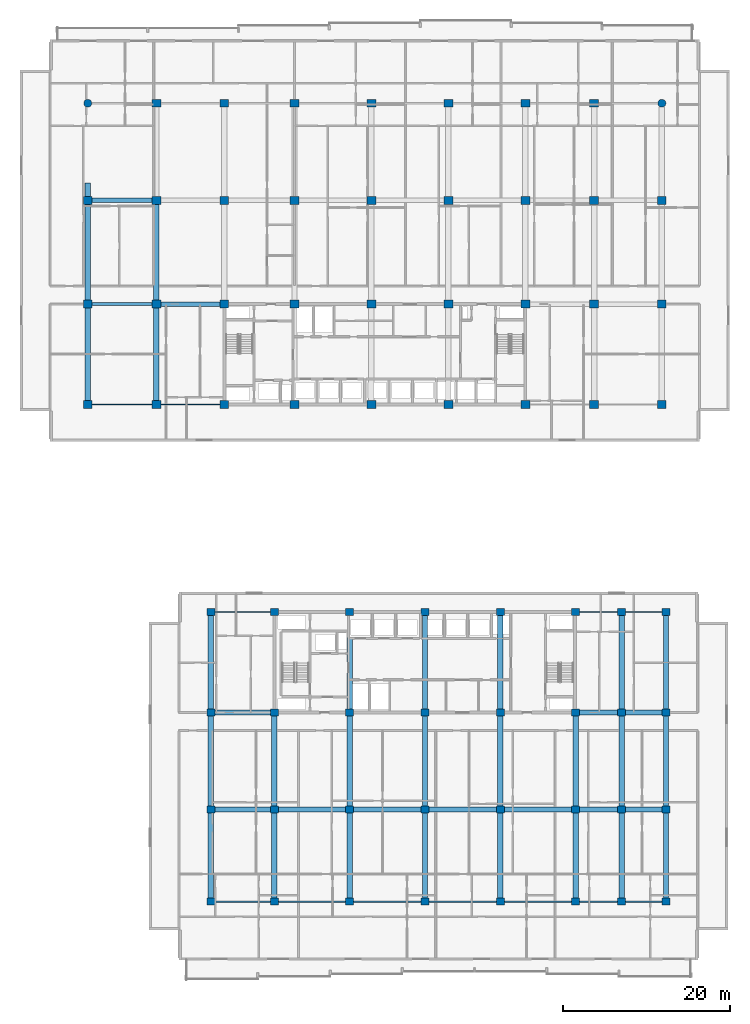
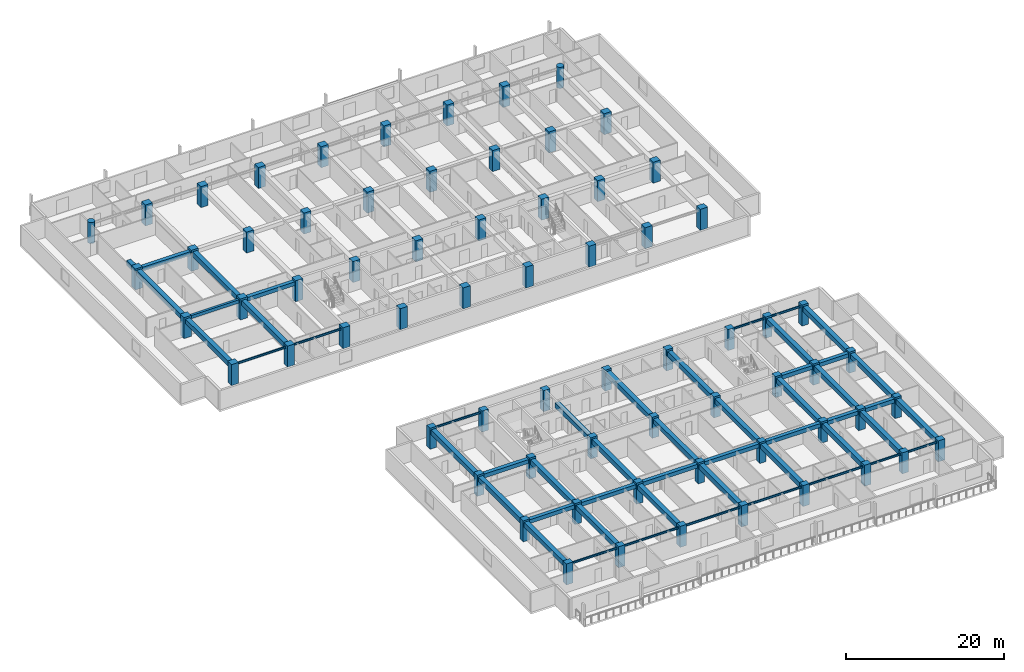
# One storey, part 1 of 23: 68 columns, 52 beams.
"""IFC4 building model written with IfcOpenShell, lengths in metres."""

from ifc_helpers import new_model, si_unit, direction, frame, origin, origin_2d, place, context, subcontext, project, spatial, rectangle, circle, i_section, extrude, material, material_profile, profile_set, type_object, element, save


model = new_model("IFC4")

# Units and contexts
model_context = context("Model", 3, precision=1e-05, world=origin(), true_north=direction((0.0, 1.0)))
body_context = subcontext(model_context, "Body", "Model", "MODEL_VIEW")
ifc_project = project(units=[si_unit("LENGTHUNIT", "METRE"), si_unit("AREAUNIT", "SQUARE_METRE"), si_unit("VOLUMEUNIT", "CUBIC_METRE"), si_unit("PLANEANGLEUNIT", "RADIAN"), si_unit("MASSUNIT", "GRAM", prefix="KILO")], contexts=[model_context])

# Site, building, storey
site_placement = place(None, origin())
site = spatial("IfcSite", under=ifc_project, at=site_placement, CompositionType="ELEMENT")
building_placement = place(site_placement, origin())
building = spatial("IfcBuilding", under=site, at=building_placement, Name="Korimba Cascade Residences", CompositionType="ELEMENT")
storey_placement = place(building_placement, frame((0.0, 0.0, 33.75)))
storey = spatial("IfcBuildingStorey", under=building, at=storey_placement, Name="L08", CompositionType="ELEMENT", Elevation=33.75)

# Columns
ifc_material_1 = material(Name="Concrete C80/95", Category="concrete")
ifc_material_profile_1 = material_profile(ifc_material_1, rectangle(XDim=1.050048828125, YDim=0.949951171875, at=origin_2d()), Name="Concrete C80/95")
ifc_profile_set_1 = profile_set([ifc_material_profile_1], Name="Concrete C80/95")
column_type_1 = type_object("IfcColumnType", Name="COL-RC-1050", PredefinedType="COLUMN", material=ifc_profile_set_1)
for number, where, z_axis, x_axis, name in (
    (1, (59.800048828125, 55.199951171875, 0.0), (0.0, 0.0, 1.0), (1.0, 0.0, 0.0), "L08 Tower 1 Column 1.1"),
    (2, (59.800048828125, 67.199951171875, 0.0), (0.0, 0.0, 1.0), (1.0, 0.0, 0.0), "L08 Tower 1 Column 1.2"),
    (3, (59.800048828125, 79.60009765625, 0.0), (0.0, 0.0, 1.0), (1.0, 0.0, 0.0), "L08 Tower 1 Column 1.3"),
    (4, (68.0, 55.199951171875, 0.0), (0.0, 0.0, 1.0), (1.0, 0.0, 0.0), "L08 Tower 1 Column 2.1"),
    (5, (68.0, 67.199951171875, 0.0), (0.0, 0.0, 1.0), (1.0, 0.0, 0.0), "L08 Tower 1 Column 2.2"),
    (6, (68.0, 79.60009765625, 0.0), (0.0, 0.0, 1.0), (1.0, 0.0, 0.0), "L08 Tower 1 Column 2.3"),
    (7, (68.0, 91.199951171875, 0.0), (0.0, 0.0, 1.0), (1.0, 0.0, 0.0), "L08 Tower 1 Column 2.4"),
    (8, (76.10009765625, 55.199951171875, 0.0), (0.0, 0.0, 1.0), (1.0, 0.0, 0.0), "L08 Tower 1 Column 3.1"),
    (9, (76.10009765625, 67.199951171875, 0.0), (0.0, 0.0, 1.0), (1.0, 0.0, 0.0), "L08 Tower 1 Column 3.2"),
    (10, (76.10009765625, 79.60009765625, 0.0), (0.0, 0.0, 1.0), (1.0, 0.0, 0.0), "L08 Tower 1 Column 3.3"),
    (11, (76.10009765625, 91.199951171875, 0.0), (0.0, 0.0, 1.0), (1.0, 0.0, 0.0), "L08 Tower 1 Column 3.4"),
    (12, (84.5, 55.199951171875, 0.0), (0.0, 0.0, 1.0), (1.0, 0.0, 0.0), "L08 Tower 1 Column 4.1"),
    (13, (84.5, 67.199951171875, 0.0), (0.0, 0.0, 1.0), (1.0, 0.0, 0.0), "L08 Tower 1 Column 4.2"),
    (14, (84.5, 79.60009765625, 0.0), (0.0, 0.0, 1.0), (1.0, 0.0, 0.0), "L08 Tower 1 Column 4.3"),
    (15, (84.5, 91.199951171875, 0.0), (0.0, 0.0, 1.0), (1.0, 0.0, 0.0), "L08 Tower 1 Column 4.4"),
    (16, (93.699951171875, 55.199951171875, 0.0), (0.0, 0.0, 1.0), (1.0, 0.0, 0.0), "L08 Tower 1 Column 5.1"),
    (17, (93.699951171875, 67.199951171875, 0.0), (0.0, 0.0, 1.0), (1.0, 0.0, 0.0), "L08 Tower 1 Column 5.2"),
    (18, (93.699951171875, 79.60009765625, 0.0), (0.0, 0.0, 1.0), (1.0, 0.0, 0.0), "L08 Tower 1 Column 5.3"),
    (19, (93.699951171875, 91.199951171875, 0.0), (0.0, 0.0, 1.0), (1.0, 0.0, 0.0), "L08 Tower 1 Column 5.4"),
    (20, (102.89990234375, 55.199951171875, 0.0), (0.0, 0.0, 1.0), (1.0, 0.0, 0.0), "L08 Tower 1 Column 6.1"),
    (21, (102.89990234375, 67.199951171875, 0.0), (0.0, 0.0, 1.0), (1.0, 0.0, 0.0), "L08 Tower 1 Column 6.2"),
    (22, (102.89990234375, 79.60009765625, 0.0), (0.0, 0.0, 1.0), (1.0, 0.0, 0.0), "L08 Tower 1 Column 6.3"),
    (23, (102.89990234375, 91.199951171875, 0.0), (0.0, 0.0, 1.0), (1.0, 0.0, 0.0), "L08 Tower 1 Column 6.4"),
    (24, (112.10009765625, 55.199951171875, 0.0), (0.0, 0.0, 1.0), (1.0, 0.0, 0.0), "L08 Tower 1 Column 7.1"),
    (25, (112.10009765625, 67.199951171875, 0.0), (0.0, 0.0, 1.0), (1.0, 0.0, 0.0), "L08 Tower 1 Column 7.2"),
    (26, (112.10009765625, 79.60009765625, 0.0), (0.0, 0.0, 1.0), (1.0, 0.0, 0.0), "L08 Tower 1 Column 7.3"),
    (27, (112.10009765625, 91.199951171875, 0.0), (0.0, 0.0, 1.0), (1.0, 0.0, 0.0), "L08 Tower 1 Column 7.4"),
    (28, (120.300048828125, 55.199951171875, 0.0), (0.0, 0.0, 1.0), (1.0, 0.0, 0.0), "L08 Tower 1 Column 8.1"),
    (29, (120.300048828125, 67.199951171875, 0.0), (0.0, 0.0, 1.0), (1.0, 0.0, 0.0), "L08 Tower 1 Column 8.2"),
    (30, (120.300048828125, 79.60009765625, 0.0), (0.0, 0.0, 1.0), (1.0, 0.0, 0.0), "L08 Tower 1 Column 8.3"),
    (31, (120.300048828125, 91.199951171875, 0.0), (0.0, 0.0, 1.0), (1.0, 0.0, 0.0), "L08 Tower 1 Column 8.4"),
    (32, (128.39990234375, 55.199951171875, 0.0), (0.0, 0.0, 1.0), (1.0, 0.0, 0.0), "L08 Tower 1 Column 9.1"),
    (33, (128.39990234375, 67.199951171875, 0.0), (0.0, 0.0, 1.0), (1.0, 0.0, 0.0), "L08 Tower 1 Column 9.2"),
    (34, (128.39990234375, 79.60009765625, 0.0), (0.0, 0.0, 1.0), (1.0, 0.0, 0.0), "L08 Tower 1 Column 9.3"),
):
    element("IfcColumn", number, at=place(storey_placement, frame(where, z_axis=z_axis, x_axis=x_axis)), inside=storey, type_object=column_type_1, Name=name, PredefinedType="COLUMN", context=body_context, shape_type="SweptSolid", body=[
        extrude(rectangle(XDim=1.050048828125, YDim=0.949951171875, at=origin_2d()), origin(), (0.0, 0.0, 1.0), 3.25),
    ])
ifc_material_2 = material(Name="Concrete C65/80", Category="concrete")
ifc_material_profile_2 = material_profile(ifc_material_2, rectangle(XDim=0.949951171875, YDim=0.85009765625, at=origin_2d()), Name="Concrete C65/80")
ifc_profile_set_2 = profile_set([ifc_material_profile_2], Name="Concrete C65/80")
column_type_2 = type_object("IfcColumnType", Name="COL-RC-950", PredefinedType="COLUMN", material=ifc_profile_set_2)
for number, where, z_axis, x_axis, name in (
    (35, (74.5, -4.199951171875, 0.0), (0.0, 0.0, 1.0), (1.0, 0.0, 0.0), "L08 Tower 2 Column 1.1"),
    (36, (74.5, 6.800048828125, 0.0), (0.0, 0.0, 1.0), (1.0, 0.0, 0.0), "L08 Tower 2 Column 1.2"),
    (37, (74.5, 18.39990234375, 0.0), (0.0, 0.0, 1.0), (1.0, 0.0, 0.0), "L08 Tower 2 Column 1.3"),
    (38, (74.5, 30.39990234375, 0.0), (0.0, 0.0, 1.0), (1.0, 0.0, 0.0), "L08 Tower 2 Column 1.4"),
    (39, (82.10009765625, -4.199951171875, 0.0), (0.0, 0.0, 1.0), (1.0, 0.0, 0.0), "L08 Tower 2 Column 2.1"),
    (40, (82.10009765625, 6.800048828125, 0.0), (0.0, 0.0, 1.0), (1.0, 0.0, 0.0), "L08 Tower 2 Column 2.2"),
    (41, (82.10009765625, 18.39990234375, 0.0), (0.0, 0.0, 1.0), (1.0, 0.0, 0.0), "L08 Tower 2 Column 2.3"),
    (42, (82.10009765625, 30.39990234375, 0.0), (0.0, 0.0, 1.0), (1.0, 0.0, 0.0), "L08 Tower 2 Column 2.4"),
    (43, (91.10009765625, -4.199951171875, 0.0), (0.0, 0.0, 1.0), (1.0, 0.0, 0.0), "L08 Tower 2 Column 3.1"),
    (44, (91.10009765625, 6.800048828125, 0.0), (0.0, 0.0, 1.0), (1.0, 0.0, 0.0), "L08 Tower 2 Column 3.2"),
    (45, (91.10009765625, 18.39990234375, 0.0), (0.0, 0.0, 1.0), (1.0, 0.0, 0.0), "L08 Tower 2 Column 3.3"),
    (46, (91.10009765625, 30.39990234375, 0.0), (0.0, 0.0, 1.0), (1.0, 0.0, 0.0), "L08 Tower 2 Column 3.4"),
    (47, (100.10009765625, -4.199951171875, 0.0), (0.0, 0.0, 1.0), (1.0, 0.0, 0.0), "L08 Tower 2 Column 4.1"),
    (48, (100.10009765625, 6.800048828125, 0.0), (0.0, 0.0, 1.0), (1.0, 0.0, 0.0), "L08 Tower 2 Column 4.2"),
    (49, (100.10009765625, 18.39990234375, 0.0), (0.0, 0.0, 1.0), (1.0, 0.0, 0.0), "L08 Tower 2 Column 4.3"),
    (50, (100.10009765625, 30.39990234375, 0.0), (0.0, 0.0, 1.0), (1.0, 0.0, 0.0), "L08 Tower 2 Column 4.4"),
    (51, (109.10009765625, -4.199951171875, 0.0), (0.0, 0.0, 1.0), (1.0, 0.0, 0.0), "L08 Tower 2 Column 5.1"),
    (52, (109.10009765625, 6.800048828125, 0.0), (0.0, 0.0, 1.0), (1.0, 0.0, 0.0), "L08 Tower 2 Column 5.2"),
    (53, (109.10009765625, 18.39990234375, 0.0), (0.0, 0.0, 1.0), (1.0, 0.0, 0.0), "L08 Tower 2 Column 5.3"),
    (54, (109.10009765625, 30.39990234375, 0.0), (0.0, 0.0, 1.0), (1.0, 0.0, 0.0), "L08 Tower 2 Column 5.4"),
    (55, (118.10009765625, -4.199951171875, 0.0), (0.0, 0.0, 1.0), (1.0, 0.0, 0.0), "L08 Tower 2 Column 6.1"),
    (56, (118.10009765625, 6.800048828125, 0.0), (0.0, 0.0, 1.0), (1.0, 0.0, 0.0), "L08 Tower 2 Column 6.2"),
    (57, (118.10009765625, 18.39990234375, 0.0), (0.0, 0.0, 1.0), (1.0, 0.0, 0.0), "L08 Tower 2 Column 6.3"),
    (58, (118.10009765625, 30.39990234375, 0.0), (0.0, 0.0, 1.0), (1.0, 0.0, 0.0), "L08 Tower 2 Column 6.4"),
    (59, (123.60009765625, -4.199951171875, 0.0), (0.0, 0.0, 1.0), (1.0, 0.0, 0.0), "L08 Tower 2 Column 7.1"),
    (60, (123.60009765625, 6.800048828125, 0.0), (0.0, 0.0, 1.0), (1.0, 0.0, 0.0), "L08 Tower 2 Column 7.2"),
    (61, (123.60009765625, 18.39990234375, 0.0), (0.0, 0.0, 1.0), (1.0, 0.0, 0.0), "L08 Tower 2 Column 7.3"),
    (62, (123.60009765625, 30.39990234375, 0.0), (0.0, 0.0, 1.0), (1.0, 0.0, 0.0), "L08 Tower 2 Column 7.4"),
    (63, (128.89990234375, -4.199951171875, 0.0), (0.0, 0.0, 1.0), (1.0, 0.0, 0.0), "L08 Tower 2 Column 8.1"),
    (64, (128.89990234375, 6.800048828125, 0.0), (0.0, 0.0, 1.0), (1.0, 0.0, 0.0), "L08 Tower 2 Column 8.2"),
    (65, (128.89990234375, 18.39990234375, 0.0), (0.0, 0.0, 1.0), (1.0, 0.0, 0.0), "L08 Tower 2 Column 8.3"),
    (66, (128.89990234375, 30.39990234375, 0.0), (0.0, 0.0, 1.0), (1.0, 0.0, 0.0), "L08 Tower 2 Column 8.4"),
):
    element("IfcColumn", number, at=place(storey_placement, frame(where, z_axis=z_axis, x_axis=x_axis)), inside=storey, type_object=column_type_2, Name=name, PredefinedType="COLUMN", context=body_context, shape_type="SweptSolid", body=[
        extrude(rectangle(XDim=0.949951171875, YDim=0.85009765625, at=origin_2d()), origin(), (0.0, 0.0, 1.0), 3.25),
    ])
ifc_material_profile_3 = material_profile(ifc_material_1, circle(Radius=0.47509765625, at=origin_2d()), Name="Concrete C80/95")
ifc_profile_set_3 = profile_set([ifc_material_profile_3], Name="Concrete C80/95")
column_type_3 = type_object("IfcColumnType", Name="COL-RC-D950", PredefinedType="COLUMN", material=ifc_profile_set_3)
for number, where, z_axis, x_axis, name in (
    (67, (59.800048828125, 91.199951171875, 0.0), (0.0, 0.0, 1.0), (1.0, 0.0, 0.0), "L08 Tower 1 Column 1.4"),
    (68, (128.39990234375, 91.199951171875, 0.0), (0.0, 0.0, 1.0), (1.0, 0.0, 0.0), "L08 Tower 1 Column 9.4"),
):
    element("IfcColumn", number, at=place(storey_placement, frame(where, z_axis=z_axis, x_axis=x_axis)), inside=storey, type_object=column_type_3, Name=name, PredefinedType="COLUMN", context=body_context, shape_type="SweptSolid", body=[
        extrude(circle(Radius=0.47509765625, at=origin_2d()), origin(), (0.0, 0.0, 1.0), 3.25),
    ])

# Beams
ifc_material_3 = material(Name="Concrete C50/60", Category="concrete")
ifc_material_profile_4 = material_profile(ifc_material_3, rectangle(XDim=0.550048828125, YDim=0.60009765625, at=origin_2d()), Name="Concrete C50/60")
ifc_profile_set_4 = profile_set([ifc_material_profile_4], Name="Concrete C50/60")
beam_type_1 = type_object("IfcBeamType", Name="BM-RC-B600", PredefinedType="BEAM", material=ifc_profile_set_4)
beam_1_placement = place(storey_placement, frame((68.52490234375, 67.199951171875, 2.669921875), z_axis=(1.0, 0.0, 0.0), x_axis=(0.0, 1.0, 0.0)))
element("IfcBeam", 69, at=beam_1_placement, inside=storey, type_object=beam_type_1, Name="L08 T1 E-W Girder Y2 Bay 2", PredefinedType="BEAM", context=body_context, shape_type="SweptSolid", body=[
    extrude(rectangle(XDim=0.550048828125, YDim=0.60009765625, at=origin_2d()), origin(), (0.0, 0.0, 1.0), 7.050048828125),
])
beam_2_placement = place(storey_placement, frame((60.324951171875, 79.60009765625, 2.669921875), z_axis=(1.0, 0.0, 0.0), x_axis=(0.0, 1.0, 0.0)))
element("IfcBeam", 70, at=beam_2_placement, inside=storey, type_object=beam_type_1, Name="L08 T1 E-W Girder Y3 Bay 1", PredefinedType="BEAM", context=body_context, shape_type="SweptSolid", body=[
    extrude(rectangle(XDim=0.550048828125, YDim=0.60009765625, at=origin_2d()), origin(), (0.0, 0.0, 1.0), 7.150146484375),
])
beam_3_placement = place(storey_placement, frame((74.97509765625, 6.800048828125, 2.669921875), z_axis=(1.0, 0.0, 0.0), x_axis=(0.0, 1.0, 0.0)))
element("IfcBeam", 71, at=beam_3_placement, inside=storey, type_object=beam_type_1, Name="L08 T2 E-W Girder Y2 Bay 1", PredefinedType="BEAM", context=body_context, shape_type="SweptSolid", body=[
    extrude(rectangle(XDim=0.550048828125, YDim=0.60009765625, at=origin_2d()), origin(), (0.0, 0.0, 1.0), 6.64990234375),
])
for number, where, z_axis, x_axis, name in (
    (72, (82.574951171875, 6.800048828125, 2.669921875), (1.0, 0.0, 0.0), (0.0, 1.0, 0.0), "L08 T2 E-W Girder Y2 Bay 2"),
    (73, (91.574951171875, 6.800048828125, 2.669921875), (1.0, 0.0, 0.0), (0.0, 1.0, 0.0), "L08 T2 E-W Girder Y2 Bay 3"),
    (74, (100.574951171875, 6.800048828125, 2.669921875), (1.0, 0.0, 0.0), (0.0, 1.0, 0.0), "L08 T2 E-W Girder Y2 Bay 4"),
    (75, (109.574951171875, 6.800048828125, 2.669921875), (1.0, 0.0, 0.0), (0.0, 1.0, 0.0), "L08 T2 E-W Girder Y2 Bay 5"),
):
    element("IfcBeam", number, at=place(storey_placement, frame(where, z_axis=z_axis, x_axis=x_axis)), inside=storey, type_object=beam_type_1, Name=name, PredefinedType="BEAM", context=body_context, shape_type="SweptSolid", body=[
        extrude(rectangle(XDim=0.550048828125, YDim=0.60009765625, at=origin_2d()), origin(), (0.0, 0.0, 1.0), 8.050048828125),
    ])
beam_4_placement = place(storey_placement, frame((118.574951171875, 6.800048828125, 2.669921875), z_axis=(1.0, 0.0, 0.0), x_axis=(0.0, 1.0, 0.0)))
element("IfcBeam", 76, at=beam_4_placement, inside=storey, type_object=beam_type_1, Name="L08 T2 E-W Girder Y2 Bay 6", PredefinedType="BEAM", context=body_context, shape_type="SweptSolid", body=[
    extrude(rectangle(XDim=0.550048828125, YDim=0.60009765625, at=origin_2d()), origin(), (0.0, 0.0, 1.0), 4.550048828125),
])
beam_5_placement = place(storey_placement, frame((124.074951171875, 6.800048828125, 2.669921875), z_axis=(1.0, 0.0, 0.0), x_axis=(0.0, 1.0, 0.0)))
element("IfcBeam", 77, at=beam_5_placement, inside=storey, type_object=beam_type_1, Name="L08 T2 E-W Girder Y2 Bay 7", PredefinedType="BEAM", context=body_context, shape_type="SweptSolid", body=[
    extrude(rectangle(XDim=0.550048828125, YDim=0.60009765625, at=origin_2d()), origin(), (0.0, 0.0, 1.0), 4.35009765625),
])
beam_6_placement = place(storey_placement, frame((74.97509765625, 18.39990234375, 2.669921875), z_axis=(1.0, 0.0, 0.0), x_axis=(0.0, 1.0, 0.0)))
element("IfcBeam", 78, at=beam_6_placement, inside=storey, type_object=beam_type_1, Name="L08 T2 E-W Girder Y3 Bay 1", PredefinedType="BEAM", context=body_context, shape_type="SweptSolid", body=[
    extrude(rectangle(XDim=0.550048828125, YDim=0.60009765625, at=origin_2d()), origin(), (0.0, 0.0, 1.0), 6.64990234375),
])
beam_7_placement = place(storey_placement, frame((118.574951171875, 18.39990234375, 2.669921875), z_axis=(1.0, 0.0, 0.0), x_axis=(0.0, 1.0, 0.0)))
element("IfcBeam", 79, at=beam_7_placement, inside=storey, type_object=beam_type_1, Name="L08 T2 E-W Girder Y3 Bay 6", PredefinedType="BEAM", context=body_context, shape_type="SweptSolid", body=[
    extrude(rectangle(XDim=0.550048828125, YDim=0.60009765625, at=origin_2d()), origin(), (0.0, 0.0, 1.0), 4.550048828125),
])
beam_8_placement = place(storey_placement, frame((124.074951171875, 18.39990234375, 2.669921875), z_axis=(1.0, 0.0, 0.0), x_axis=(0.0, 1.0, 0.0)))
element("IfcBeam", 80, at=beam_8_placement, inside=storey, type_object=beam_type_1, Name="L08 T2 E-W Girder Y3 Bay 7", PredefinedType="BEAM", context=body_context, shape_type="SweptSolid", body=[
    extrude(rectangle(XDim=0.550048828125, YDim=0.60009765625, at=origin_2d()), origin(), (0.0, 0.0, 1.0), 4.35009765625),
])
ifc_material_profile_5 = material_profile(ifc_material_3, rectangle(XDim=0.64990234375, YDim=0.75, at=origin_2d()), Name="Concrete C50/60")
ifc_profile_set_5 = profile_set([ifc_material_profile_5], Name="Concrete C50/60")
beam_type_2 = type_object("IfcBeamType", Name="BM-RC-G750", PredefinedType="BEAM", material=ifc_profile_set_5)
beam_9_placement = place(storey_placement, frame((59.800048828125, 55.675048828125, 2.594970703125), z_axis=(0.0, 1.0, 0.0), x_axis=(-1.0, 0.0, 0.0)))
element("IfcBeam", 81, at=beam_9_placement, inside=storey, type_object=beam_type_2, Name="L08 T1 N-S Girder X1 Seg 1", PredefinedType="BEAM", context=body_context, shape_type="SweptSolid", body=[
    extrude(rectangle(XDim=0.64990234375, YDim=0.75, at=origin_2d()), origin(), (0.0, 0.0, 1.0), 11.050048828125),
])
beam_10_placement = place(storey_placement, frame((59.800048828125, 67.675048828125, 2.594970703125), z_axis=(0.0, 1.0, 0.0), x_axis=(-1.0, 0.0, 0.0)))
element("IfcBeam", 82, at=beam_10_placement, inside=storey, type_object=beam_type_2, Name="L08 T1 N-S Girder X1 Seg 2", PredefinedType="BEAM", context=body_context, shape_type="SweptSolid", body=[
    extrude(rectangle(XDim=0.64990234375, YDim=0.75, at=origin_2d()), origin(), (0.0, 0.0, 1.0), 11.449951171875),
])
beam_11_placement = place(storey_placement, frame((59.800048828125, 80.074951171875, 2.594970703125), z_axis=(0.0, 1.0, 0.0), x_axis=(-1.0, 0.0, 0.0)))
element("IfcBeam", 83, at=beam_11_placement, inside=storey, type_object=beam_type_2, Name="L08 T1 N-S Girder X1 Seg 3", PredefinedType="BEAM", context=body_context, shape_type="SweptSolid", body=[
    extrude(rectangle(XDim=0.64990234375, YDim=0.75, at=origin_2d()), origin(), (0.0, 0.0, 1.0), 1.625),
])
beam_12_placement = place(storey_placement, frame((68.0, 55.675048828125, 2.594970703125), z_axis=(0.0, 1.0, 0.0), x_axis=(-1.0, 0.0, 0.0)))
element("IfcBeam", 84, at=beam_12_placement, inside=storey, type_object=beam_type_2, Name="L08 T1 N-S Girder X2 Seg 1", PredefinedType="BEAM", context=body_context, shape_type="SweptSolid", body=[
    extrude(rectangle(XDim=0.64990234375, YDim=0.75, at=origin_2d()), origin(), (0.0, 0.0, 1.0), 11.050048828125),
])
beam_13_placement = place(storey_placement, frame((68.0, 67.675048828125, 2.594970703125), z_axis=(0.0, 1.0, 0.0), x_axis=(-1.0, 0.0, 0.0)))
element("IfcBeam", 85, at=beam_13_placement, inside=storey, type_object=beam_type_2, Name="L08 T1 N-S Girder X2 Seg 2", PredefinedType="BEAM", context=body_context, shape_type="SweptSolid", body=[
    extrude(rectangle(XDim=0.64990234375, YDim=0.75, at=origin_2d()), origin(), (0.0, 0.0, 1.0), 11.449951171875),
])
beam_14_placement = place(storey_placement, frame((74.5, -3.77490234375, 2.594970703125), z_axis=(0.0, 1.0, 0.0), x_axis=(-1.0, 0.0, 0.0)))
element("IfcBeam", 86, at=beam_14_placement, inside=storey, type_object=beam_type_2, Name="L08 T2 N-S Girder X1 Seg 1", PredefinedType="BEAM", context=body_context, shape_type="SweptSolid", body=[
    extrude(rectangle(XDim=0.64990234375, YDim=0.75, at=origin_2d()), origin(), (0.0, 0.0, 1.0), 10.14990234375),
])
beam_15_placement = place(storey_placement, frame((74.5, 7.22509765625, 2.594970703125), z_axis=(0.0, 1.0, 0.0), x_axis=(-1.0, 0.0, 0.0)))
element("IfcBeam", 87, at=beam_15_placement, inside=storey, type_object=beam_type_2, Name="L08 T2 N-S Girder X1 Seg 2", PredefinedType="BEAM", context=body_context, shape_type="SweptSolid", body=[
    extrude(rectangle(XDim=0.64990234375, YDim=0.75, at=origin_2d()), origin(), (0.0, 0.0, 1.0), 10.75),
])
beam_16_placement = place(storey_placement, frame((74.5, 18.824951171875, 2.594970703125), z_axis=(0.0, 1.0, 0.0), x_axis=(-1.0, 0.0, 0.0)))
element("IfcBeam", 88, at=beam_16_placement, inside=storey, type_object=beam_type_2, Name="L08 T2 N-S Girder X1 Seg 3", PredefinedType="BEAM", context=body_context, shape_type="SweptSolid", body=[
    extrude(rectangle(XDim=0.64990234375, YDim=0.75, at=origin_2d()), origin(), (0.0, 0.0, 1.0), 11.150146484375),
])
beam_17_placement = place(storey_placement, frame((82.10009765625, -3.77490234375, 2.594970703125), z_axis=(0.0, 1.0, 0.0), x_axis=(-1.0, 0.0, 0.0)))
element("IfcBeam", 89, at=beam_17_placement, inside=storey, type_object=beam_type_2, Name="L08 T2 N-S Girder X2 Seg 1", PredefinedType="BEAM", context=body_context, shape_type="SweptSolid", body=[
    extrude(rectangle(XDim=0.64990234375, YDim=0.75, at=origin_2d()), origin(), (0.0, 0.0, 1.0), 10.14990234375),
])
beam_18_placement = place(storey_placement, frame((82.10009765625, 7.22509765625, 2.594970703125), z_axis=(0.0, 1.0, 0.0), x_axis=(-1.0, 0.0, 0.0)))
element("IfcBeam", 90, at=beam_18_placement, inside=storey, type_object=beam_type_2, Name="L08 T2 N-S Girder X2 Seg 2", PredefinedType="BEAM", context=body_context, shape_type="SweptSolid", body=[
    extrude(rectangle(XDim=0.64990234375, YDim=0.75, at=origin_2d()), origin(), (0.0, 0.0, 1.0), 10.75),
])
beam_19_placement = place(storey_placement, frame((91.10009765625, -3.77490234375, 2.594970703125), z_axis=(0.0, 1.0, 0.0), x_axis=(-1.0, 0.0, 0.0)))
element("IfcBeam", 91, at=beam_19_placement, inside=storey, type_object=beam_type_2, Name="L08 T2 N-S Girder X3 Seg 1", PredefinedType="BEAM", context=body_context, shape_type="SweptSolid", body=[
    extrude(rectangle(XDim=0.64990234375, YDim=0.75, at=origin_2d()), origin(), (0.0, 0.0, 1.0), 10.14990234375),
])
beam_20_placement = place(storey_placement, frame((91.10009765625, 7.22509765625, 2.594970703125), z_axis=(0.0, 1.0, 0.0), x_axis=(-1.0, 0.0, 0.0)))
element("IfcBeam", 92, at=beam_20_placement, inside=storey, type_object=beam_type_2, Name="L08 T2 N-S Girder X3 Seg 2", PredefinedType="BEAM", context=body_context, shape_type="SweptSolid", body=[
    extrude(rectangle(XDim=0.64990234375, YDim=0.75, at=origin_2d()), origin(), (0.0, 0.0, 1.0), 10.75),
])
beam_21_placement = place(storey_placement, frame((91.10009765625, 18.824951171875, 2.594970703125), z_axis=(0.0, 1.0, 0.0), x_axis=(-1.0, 0.0, 0.0)))
element("IfcBeam", 93, at=beam_21_placement, inside=storey, type_object=beam_type_2, Name="L08 T2 N-S Girder X3 Seg 3", PredefinedType="BEAM", context=body_context, shape_type="SweptSolid", body=[
    extrude(rectangle(XDim=0.64990234375, YDim=0.75, at=origin_2d()), origin(), (0.0, 0.0, 1.0), 8.51513671875),
])
beam_22_placement = place(storey_placement, frame((100.10009765625, -3.77490234375, 2.594970703125), z_axis=(0.0, 1.0, 0.0), x_axis=(-1.0, 0.0, 0.0)))
element("IfcBeam", 94, at=beam_22_placement, inside=storey, type_object=beam_type_2, Name="L08 T2 N-S Girder X4 Seg 1", PredefinedType="BEAM", context=body_context, shape_type="SweptSolid", body=[
    extrude(rectangle(XDim=0.64990234375, YDim=0.75, at=origin_2d()), origin(), (0.0, 0.0, 1.0), 10.14990234375),
])
beam_23_placement = place(storey_placement, frame((100.10009765625, 7.22509765625, 2.594970703125), z_axis=(0.0, 1.0, 0.0), x_axis=(-1.0, 0.0, 0.0)))
element("IfcBeam", 95, at=beam_23_placement, inside=storey, type_object=beam_type_2, Name="L08 T2 N-S Girder X4 Seg 2", PredefinedType="BEAM", context=body_context, shape_type="SweptSolid", body=[
    extrude(rectangle(XDim=0.64990234375, YDim=0.75, at=origin_2d()), origin(), (0.0, 0.0, 1.0), 10.75),
])
beam_24_placement = place(storey_placement, frame((100.10009765625, 18.824951171875, 2.594970703125), z_axis=(0.0, 1.0, 0.0), x_axis=(-1.0, 0.0, 0.0)))
element("IfcBeam", 96, at=beam_24_placement, inside=storey, type_object=beam_type_2, Name="L08 T2 N-S Girder X4 Seg 3", PredefinedType="BEAM", context=body_context, shape_type="SweptSolid", body=[
    extrude(rectangle(XDim=0.64990234375, YDim=0.75, at=origin_2d()), origin(), (0.0, 0.0, 1.0), 11.150146484375),
])
beam_25_placement = place(storey_placement, frame((109.10009765625, -3.77490234375, 2.594970703125), z_axis=(0.0, 1.0, 0.0), x_axis=(-1.0, 0.0, 0.0)))
element("IfcBeam", 97, at=beam_25_placement, inside=storey, type_object=beam_type_2, Name="L08 T2 N-S Girder X5 Seg 1", PredefinedType="BEAM", context=body_context, shape_type="SweptSolid", body=[
    extrude(rectangle(XDim=0.64990234375, YDim=0.75, at=origin_2d()), origin(), (0.0, 0.0, 1.0), 10.14990234375),
])
beam_26_placement = place(storey_placement, frame((109.10009765625, 7.22509765625, 2.594970703125), z_axis=(0.0, 1.0, 0.0), x_axis=(-1.0, 0.0, 0.0)))
element("IfcBeam", 98, at=beam_26_placement, inside=storey, type_object=beam_type_2, Name="L08 T2 N-S Girder X5 Seg 2", PredefinedType="BEAM", context=body_context, shape_type="SweptSolid", body=[
    extrude(rectangle(XDim=0.64990234375, YDim=0.75, at=origin_2d()), origin(), (0.0, 0.0, 1.0), 10.75),
])
beam_27_placement = place(storey_placement, frame((109.10009765625, 18.824951171875, 2.594970703125), z_axis=(0.0, 1.0, 0.0), x_axis=(-1.0, 0.0, 0.0)))
element("IfcBeam", 99, at=beam_27_placement, inside=storey, type_object=beam_type_2, Name="L08 T2 N-S Girder X5 Seg 3", PredefinedType="BEAM", context=body_context, shape_type="SweptSolid", body=[
    extrude(rectangle(XDim=0.64990234375, YDim=0.75, at=origin_2d()), origin(), (0.0, 0.0, 1.0), 11.150146484375),
])
beam_28_placement = place(storey_placement, frame((118.10009765625, -3.77490234375, 2.594970703125), z_axis=(0.0, 1.0, 0.0), x_axis=(-1.0, 0.0, 0.0)))
element("IfcBeam", 100, at=beam_28_placement, inside=storey, type_object=beam_type_2, Name="L08 T2 N-S Girder X6 Seg 1", PredefinedType="BEAM", context=body_context, shape_type="SweptSolid", body=[
    extrude(rectangle(XDim=0.64990234375, YDim=0.75, at=origin_2d()), origin(), (0.0, 0.0, 1.0), 10.14990234375),
])
beam_29_placement = place(storey_placement, frame((118.10009765625, 7.22509765625, 2.594970703125), z_axis=(0.0, 1.0, 0.0), x_axis=(-1.0, 0.0, 0.0)))
element("IfcBeam", 101, at=beam_29_placement, inside=storey, type_object=beam_type_2, Name="L08 T2 N-S Girder X6 Seg 2", PredefinedType="BEAM", context=body_context, shape_type="SweptSolid", body=[
    extrude(rectangle(XDim=0.64990234375, YDim=0.75, at=origin_2d()), origin(), (0.0, 0.0, 1.0), 10.75),
])
beam_30_placement = place(storey_placement, frame((123.60009765625, -3.77490234375, 2.594970703125), z_axis=(0.0, 1.0, 0.0), x_axis=(-1.0, 0.0, 0.0)))
element("IfcBeam", 102, at=beam_30_placement, inside=storey, type_object=beam_type_2, Name="L08 T2 N-S Girder X7 Seg 1", PredefinedType="BEAM", context=body_context, shape_type="SweptSolid", body=[
    extrude(rectangle(XDim=0.64990234375, YDim=0.75, at=origin_2d()), origin(), (0.0, 0.0, 1.0), 10.14990234375),
])
beam_31_placement = place(storey_placement, frame((123.60009765625, 7.22509765625, 2.594970703125), z_axis=(0.0, 1.0, 0.0), x_axis=(-1.0, 0.0, 0.0)))
element("IfcBeam", 103, at=beam_31_placement, inside=storey, type_object=beam_type_2, Name="L08 T2 N-S Girder X7 Seg 2", PredefinedType="BEAM", context=body_context, shape_type="SweptSolid", body=[
    extrude(rectangle(XDim=0.64990234375, YDim=0.75, at=origin_2d()), origin(), (0.0, 0.0, 1.0), 10.75),
])
beam_32_placement = place(storey_placement, frame((123.60009765625, 18.824951171875, 2.594970703125), z_axis=(0.0, 1.0, 0.0), x_axis=(-1.0, 0.0, 0.0)))
element("IfcBeam", 104, at=beam_32_placement, inside=storey, type_object=beam_type_2, Name="L08 T2 N-S Girder X7 Seg 3", PredefinedType="BEAM", context=body_context, shape_type="SweptSolid", body=[
    extrude(rectangle(XDim=0.64990234375, YDim=0.75, at=origin_2d()), origin(), (0.0, 0.0, 1.0), 11.150146484375),
])
beam_33_placement = place(storey_placement, frame((128.89990234375, -3.77490234375, 2.594970703125), z_axis=(0.0, 1.0, 0.0), x_axis=(-1.0, 0.0, 0.0)))
element("IfcBeam", 105, at=beam_33_placement, inside=storey, type_object=beam_type_2, Name="L08 T2 N-S Girder X8 Seg 1", PredefinedType="BEAM", context=body_context, shape_type="SweptSolid", body=[
    extrude(rectangle(XDim=0.64990234375, YDim=0.75, at=origin_2d()), origin(), (0.0, 0.0, 1.0), 10.14990234375),
])
beam_34_placement = place(storey_placement, frame((128.89990234375, 7.22509765625, 2.594970703125), z_axis=(0.0, 1.0, 0.0), x_axis=(-1.0, 0.0, 0.0)))
element("IfcBeam", 106, at=beam_34_placement, inside=storey, type_object=beam_type_2, Name="L08 T2 N-S Girder X8 Seg 2", PredefinedType="BEAM", context=body_context, shape_type="SweptSolid", body=[
    extrude(rectangle(XDim=0.64990234375, YDim=0.75, at=origin_2d()), origin(), (0.0, 0.0, 1.0), 10.75),
])
beam_35_placement = place(storey_placement, frame((128.89990234375, 18.824951171875, 2.594970703125), z_axis=(0.0, 1.0, 0.0), x_axis=(-1.0, 0.0, 0.0)))
element("IfcBeam", 107, at=beam_35_placement, inside=storey, type_object=beam_type_2, Name="L08 T2 N-S Girder X8 Seg 3", PredefinedType="BEAM", context=body_context, shape_type="SweptSolid", body=[
    extrude(rectangle(XDim=0.64990234375, YDim=0.75, at=origin_2d()), origin(), (0.0, 0.0, 1.0), 11.150146484375),
])
ifc_material_profile_6 = material_profile(ifc_material_3, rectangle(XDim=0.35009765625, YDim=0.5, at=origin_2d()), Name="Concrete C50/60")
ifc_profile_set_6 = profile_set([ifc_material_profile_6], Name="Concrete C50/60")
beam_type_3 = type_object("IfcBeamType", Name="BM-RC-LN500", PredefinedType="LINTEL", material=ifc_profile_set_6)
beam_36_placement = place(storey_placement, frame((60.324951171875, 67.199951171875, 2.719970703125), z_axis=(1.0, 0.0, 0.0), x_axis=(0.0, 1.0, 0.0)))
element("IfcBeam", 108, at=beam_36_placement, inside=storey, type_object=beam_type_3, Name="L08 T1 E-W Girder Y2 Bay 1", PredefinedType="LINTEL", context=body_context, shape_type="SweptSolid", body=[
    extrude(rectangle(XDim=0.35009765625, YDim=0.5, at=origin_2d()), origin(), (0.0, 0.0, 1.0), 7.150146484375),
])
ifc_material_4 = material(Name="Steel S355", Category="steel")
ifc_material_profile_7 = material_profile(ifc_material_4, i_section(OverallWidth=0.165771484375, OverallDepth=0.306640625, WebThickness=0.006591796875, FlangeThickness=0.01171875, FilletRadius=0.0087890625, at=origin_2d()), Name="Steel S355")
ifc_profile_set_7 = profile_set([ifc_material_profile_7], Name="Steel S355")
beam_type_4 = type_object("IfcBeamType", Name="BM-STL-UB305", PredefinedType="SPANDREL", material=ifc_profile_set_7)
beam_37_placement = place(storey_placement, frame((60.324951171875, 55.199951171875, 2.816650390625), z_axis=(1.0, 0.0, 0.0), x_axis=(0.0, 1.0, 0.0)))
element("IfcBeam", 109, at=beam_37_placement, inside=storey, type_object=beam_type_4, Name="L08 T1 E-W Girder Y1 Bay 1", PredefinedType="SPANDREL", context=body_context, shape_type="SweptSolid", body=[
    extrude(i_section(OverallWidth=0.165771484375, OverallDepth=0.306640625, WebThickness=0.006591796875, FlangeThickness=0.01171875, FilletRadius=0.0087890625, at=origin_2d()), origin(), (0.0, 0.0, 1.0), 7.150146484375),
])
beam_38_placement = place(storey_placement, frame((68.52490234375, 55.199951171875, 2.816650390625), z_axis=(1.0, 0.0, 0.0), x_axis=(0.0, 1.0, 0.0)))
element("IfcBeam", 110, at=beam_38_placement, inside=storey, type_object=beam_type_4, Name="L08 T1 E-W Girder Y1 Bay 2", PredefinedType="SPANDREL", context=body_context, shape_type="SweptSolid", body=[
    extrude(i_section(OverallWidth=0.165771484375, OverallDepth=0.306640625, WebThickness=0.006591796875, FlangeThickness=0.01171875, FilletRadius=0.0087890625, at=origin_2d()), origin(), (0.0, 0.0, 1.0), 7.050048828125),
])
beam_39_placement = place(storey_placement, frame((74.97509765625, -4.199951171875, 2.816650390625), z_axis=(1.0, 0.0, 0.0), x_axis=(0.0, 1.0, 0.0)))
element("IfcBeam", 111, at=beam_39_placement, inside=storey, type_object=beam_type_4, Name="L08 T2 E-W Girder Y1 Bay 1", PredefinedType="SPANDREL", context=body_context, shape_type="SweptSolid", body=[
    extrude(i_section(OverallWidth=0.165771484375, OverallDepth=0.306640625, WebThickness=0.006591796875, FlangeThickness=0.01171875, FilletRadius=0.0087890625, at=origin_2d()), origin(), (0.0, 0.0, 1.0), 6.64990234375),
])
for number, where, z_axis, x_axis, name in (
    (112, (82.574951171875, -4.199951171875, 2.816650390625), (1.0, 0.0, 0.0), (0.0, 1.0, 0.0), "L08 T2 E-W Girder Y1 Bay 2"),
    (113, (91.574951171875, -4.199951171875, 2.816650390625), (1.0, 0.0, 0.0), (0.0, 1.0, 0.0), "L08 T2 E-W Girder Y1 Bay 3"),
    (114, (100.574951171875, -4.199951171875, 2.816650390625), (1.0, 0.0, 0.0), (0.0, 1.0, 0.0), "L08 T2 E-W Girder Y1 Bay 4"),
    (115, (109.574951171875, -4.199951171875, 2.816650390625), (1.0, 0.0, 0.0), (0.0, 1.0, 0.0), "L08 T2 E-W Girder Y1 Bay 5"),
):
    element("IfcBeam", number, at=place(storey_placement, frame(where, z_axis=z_axis, x_axis=x_axis)), inside=storey, type_object=beam_type_4, Name=name, PredefinedType="SPANDREL", context=body_context, shape_type="SweptSolid", body=[
        extrude(i_section(OverallWidth=0.165771484375, OverallDepth=0.306640625, WebThickness=0.006591796875, FlangeThickness=0.01171875, FilletRadius=0.0087890625, at=origin_2d()), origin(), (0.0, 0.0, 1.0), 8.050048828125),
    ])
beam_40_placement = place(storey_placement, frame((118.574951171875, -4.199951171875, 2.816650390625), z_axis=(1.0, 0.0, 0.0), x_axis=(0.0, 1.0, 0.0)))
element("IfcBeam", 116, at=beam_40_placement, inside=storey, type_object=beam_type_4, Name="L08 T2 E-W Girder Y1 Bay 6", PredefinedType="SPANDREL", context=body_context, shape_type="SweptSolid", body=[
    extrude(i_section(OverallWidth=0.165771484375, OverallDepth=0.306640625, WebThickness=0.006591796875, FlangeThickness=0.01171875, FilletRadius=0.0087890625, at=origin_2d()), origin(), (0.0, 0.0, 1.0), 4.550048828125),
])
beam_41_placement = place(storey_placement, frame((124.074951171875, -4.199951171875, 2.816650390625), z_axis=(1.0, 0.0, 0.0), x_axis=(0.0, 1.0, 0.0)))
element("IfcBeam", 117, at=beam_41_placement, inside=storey, type_object=beam_type_4, Name="L08 T2 E-W Girder Y1 Bay 7", PredefinedType="SPANDREL", context=body_context, shape_type="SweptSolid", body=[
    extrude(i_section(OverallWidth=0.165771484375, OverallDepth=0.306640625, WebThickness=0.006591796875, FlangeThickness=0.01171875, FilletRadius=0.0087890625, at=origin_2d()), origin(), (0.0, 0.0, 1.0), 4.35009765625),
])
beam_42_placement = place(storey_placement, frame((74.97509765625, 30.39990234375, 2.816650390625), z_axis=(1.0, 0.0, 0.0), x_axis=(0.0, 1.0, 0.0)))
element("IfcBeam", 118, at=beam_42_placement, inside=storey, type_object=beam_type_4, Name="L08 T2 E-W Girder Y4 Bay 1", PredefinedType="SPANDREL", context=body_context, shape_type="SweptSolid", body=[
    extrude(i_section(OverallWidth=0.165771484375, OverallDepth=0.306640625, WebThickness=0.006591796875, FlangeThickness=0.01171875, FilletRadius=0.0087890625, at=origin_2d()), origin(), (0.0, 0.0, 1.0), 6.64990234375),
])
beam_43_placement = place(storey_placement, frame((118.574951171875, 30.39990234375, 2.816650390625), z_axis=(1.0, 0.0, 0.0), x_axis=(0.0, 1.0, 0.0)))
element("IfcBeam", 119, at=beam_43_placement, inside=storey, type_object=beam_type_4, Name="L08 T2 E-W Girder Y4 Bay 6", PredefinedType="SPANDREL", context=body_context, shape_type="SweptSolid", body=[
    extrude(i_section(OverallWidth=0.165771484375, OverallDepth=0.306640625, WebThickness=0.006591796875, FlangeThickness=0.01171875, FilletRadius=0.0087890625, at=origin_2d()), origin(), (0.0, 0.0, 1.0), 4.550048828125),
])
beam_44_placement = place(storey_placement, frame((124.074951171875, 30.39990234375, 2.816650390625), z_axis=(1.0, 0.0, 0.0), x_axis=(0.0, 1.0, 0.0)))
element("IfcBeam", 120, at=beam_44_placement, inside=storey, type_object=beam_type_4, Name="L08 T2 E-W Girder Y4 Bay 7", PredefinedType="SPANDREL", context=body_context, shape_type="SweptSolid", body=[
    extrude(i_section(OverallWidth=0.165771484375, OverallDepth=0.306640625, WebThickness=0.006591796875, FlangeThickness=0.01171875, FilletRadius=0.0087890625, at=origin_2d()), origin(), (0.0, 0.0, 1.0), 4.35009765625),
])

save(model, "model.ifc")
